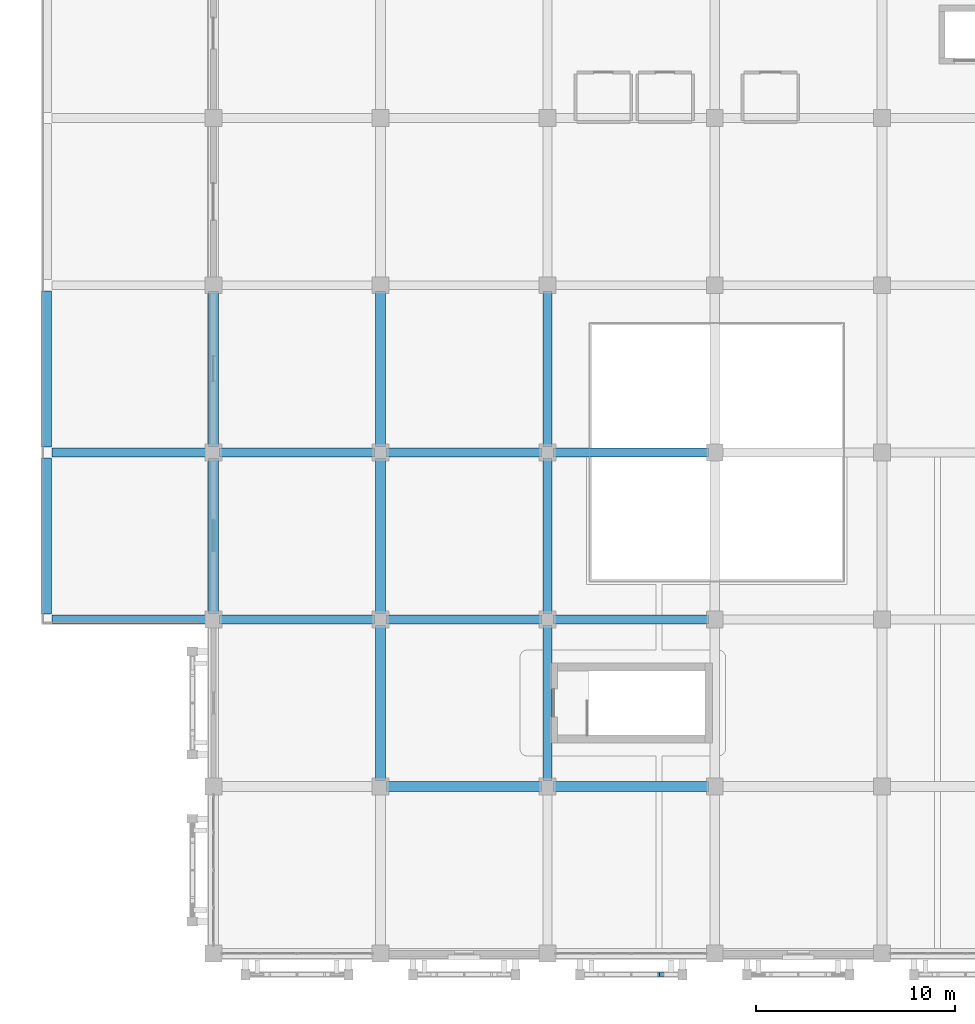
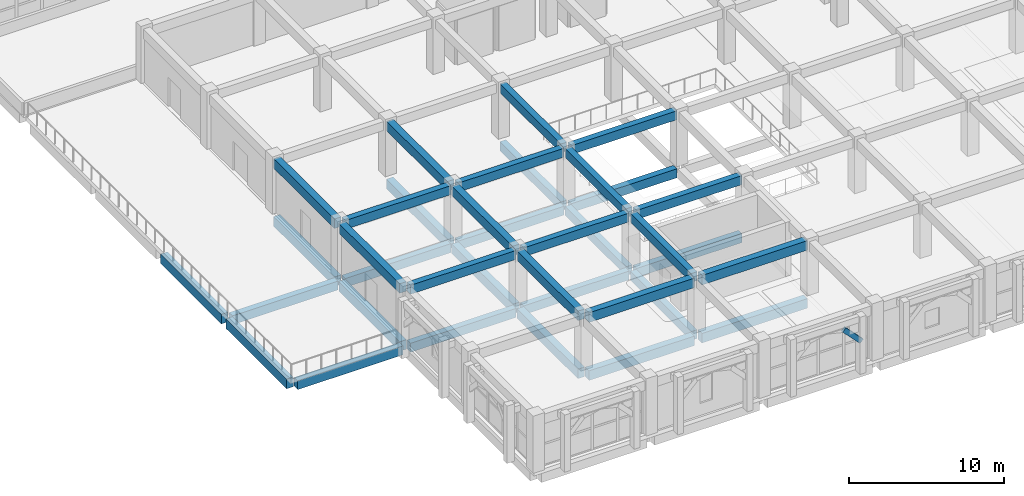
# One storey, part 7 of 129: 36 beams, 1 member.
"""IFC4 building model written with IfcOpenShell, lengths in metres."""

from ifc_helpers import new_model, si_unit, direction, frame, origin, origin_2d, place, context, subcontext, project, spatial, rectangle, extrude, material, material_profile, profile_set, type_object, element, save


model = new_model("IFC4")

# Units and contexts
model_context = context("Model", 3, precision=1e-05, world=origin(), true_north=direction((0.0, 1.0)))
body_context = subcontext(model_context, "Body", "Model", "MODEL_VIEW")
ifc_project = project(units=[si_unit("LENGTHUNIT", "METRE"), si_unit("AREAUNIT", "SQUARE_METRE"), si_unit("VOLUMEUNIT", "CUBIC_METRE"), si_unit("PLANEANGLEUNIT", "RADIAN"), si_unit("MASSUNIT", "GRAM", prefix="KILO")], contexts=[model_context])

# Site, building, storey
site_placement = place(None, origin())
site = spatial("IfcSite", under=ifc_project, at=site_placement, CompositionType="ELEMENT")
building_placement = place(site_placement, origin())
building = spatial("IfcBuilding", under=site, at=building_placement, Name="Xazarin Passage Department Store", CompositionType="ELEMENT")
storey_placement = place(building_placement, frame((0.0, 0.0, 9.89990234375)))
storey = spatial("IfcBuildingStorey", under=building, at=storey_placement, Name="L02", CompositionType="ELEMENT", Elevation=9.89990234375)

# Beams
ifc_material_1 = material(Name="Concrete C35/45", Category="concrete")
ifc_material_profile_1 = material_profile(ifc_material_1, rectangle(XDim=0.449951171875, YDim=0.699951171875, at=origin_2d()), Name="RC 450x700")
ifc_profile_set_1 = profile_set([ifc_material_profile_1], Name="Concrete C35/45")
beam_type_1 = type_object("IfcBeamType", Name="STR-BM-G450x700", PredefinedType="BEAM", material=ifc_profile_set_1)
for number, where, z_axis, x_axis, name in (
    (1, (0.280029296875, 16.800048828125, -0.669921875), (1.0, 0.0, 0.0), (0.0, 1.0, 0.0), "L02 Grid Beam C/1-2"),
    (2, (8.679931640625, 16.800048828125, -0.669921875), (1.0, 0.0, 0.0), (0.0, 1.0, 0.0), "L02 Grid Beam C/2-3"),
):
    element("IfcBeam", number, at=place(storey_placement, frame(where, z_axis=z_axis, x_axis=x_axis)), inside=storey, type_object=beam_type_1, Name=name, PredefinedType="BEAM", context=body_context, shape_type="SweptSolid", body=[
        extrude(rectangle(XDim=0.449951171875, YDim=0.699951171875, at=origin_2d()), origin(), (0.0, 0.0, 1.0), 7.840087890625),
    ])
beam_1_placement = place(storey_placement, frame((17.080078125, 16.800048828125, -0.669921875), z_axis=(1.0, 0.0, 0.0), x_axis=(0.0, 1.0, 0.0)))
element("IfcBeam", 3, at=beam_1_placement, inside=storey, type_object=beam_type_1, Name="L02 Grid Beam C/3-4", PredefinedType="BEAM", context=body_context, shape_type="SweptSolid", body=[
    extrude(rectangle(XDim=0.449951171875, YDim=0.699951171875, at=origin_2d()), origin(), (0.0, 0.0, 1.0), 7.83984375),
])
for number, where, z_axis, x_axis, name in (
    (4, (25.47998046875, 16.800048828125, -0.669921875), (1.0, 0.0, 0.0), (0.0, 1.0, 0.0), "L02 Grid Beam C/4-5"),
    (5, (0.280029296875, 25.199951171875, -0.669921875), (1.0, 0.0, 0.0), (0.0, 1.0, 0.0), "L02 Grid Beam D/1-2"),
    (6, (8.679931640625, 25.199951171875, -0.669921875), (1.0, 0.0, 0.0), (0.0, 1.0, 0.0), "L02 Grid Beam D/2-3"),
):
    element("IfcBeam", number, at=place(storey_placement, frame(where, z_axis=z_axis, x_axis=x_axis)), inside=storey, type_object=beam_type_1, Name=name, PredefinedType="BEAM", context=body_context, shape_type="SweptSolid", body=[
        extrude(rectangle(XDim=0.449951171875, YDim=0.699951171875, at=origin_2d()), origin(), (0.0, 0.0, 1.0), 7.840087890625),
    ])
beam_2_placement = place(storey_placement, frame((17.080078125, 25.199951171875, -0.669921875), z_axis=(1.0, 0.0, 0.0), x_axis=(0.0, 1.0, 0.0)))
element("IfcBeam", 7, at=beam_2_placement, inside=storey, type_object=beam_type_1, Name="L02 Grid Beam D/3-4", PredefinedType="BEAM", context=body_context, shape_type="SweptSolid", body=[
    extrude(rectangle(XDim=0.449951171875, YDim=0.699951171875, at=origin_2d()), origin(), (0.0, 0.0, 1.0), 7.83984375),
])
for number, where, z_axis, x_axis, name in (
    (8, (25.47998046875, 25.199951171875, -0.669921875), (1.0, 0.0, 0.0), (0.0, 1.0, 0.0), "L02 Grid Beam D/4-5"),
    (9, (25.199951171875, 8.679931640625, -0.669921875), (0.0, 1.0, 0.0), (-1.0, 0.0, 0.0), "L02 Grid Beam 4/B-C"),
):
    element("IfcBeam", number, at=place(storey_placement, frame(where, z_axis=z_axis, x_axis=x_axis)), inside=storey, type_object=beam_type_1, Name=name, PredefinedType="BEAM", context=body_context, shape_type="SweptSolid", body=[
        extrude(rectangle(XDim=0.449951171875, YDim=0.699951171875, at=origin_2d()), origin(), (0.0, 0.0, 1.0), 7.840087890625),
    ])
beam_3_placement = place(storey_placement, frame((25.199951171875, 17.080078125, -0.669921875), z_axis=(0.0, 1.0, 0.0), x_axis=(-1.0, 0.0, 0.0)))
element("IfcBeam", 10, at=beam_3_placement, inside=storey, type_object=beam_type_1, Name="L02 Grid Beam 4/C-D", PredefinedType="BEAM", context=body_context, shape_type="SweptSolid", body=[
    extrude(rectangle(XDim=0.449951171875, YDim=0.699951171875, at=origin_2d()), origin(), (0.0, 0.0, 1.0), 7.83984375),
])
for number, where, z_axis, x_axis, name in (
    (11, (25.199951171875, 25.47998046875, -0.669921875), (0.0, 1.0, 0.0), (-1.0, 0.0, 0.0), "L02 Grid Beam 4/D-E"),
    (12, (8.679931640625, 16.800048828125, 3.89013671875), (1.0, 0.0, 0.0), (0.0, 1.0, 0.0), "L02 Grid Beam C/2-3"),
):
    element("IfcBeam", number, at=place(storey_placement, frame(where, z_axis=z_axis, x_axis=x_axis)), inside=storey, type_object=beam_type_1, Name=name, PredefinedType="BEAM", context=body_context, shape_type="SweptSolid", body=[
        extrude(rectangle(XDim=0.449951171875, YDim=0.699951171875, at=origin_2d()), origin(), (0.0, 0.0, 1.0), 7.840087890625),
    ])
beam_4_placement = place(storey_placement, frame((17.080078125, 16.800048828125, 3.89013671875), z_axis=(1.0, 0.0, 0.0), x_axis=(0.0, 1.0, 0.0)))
element("IfcBeam", 13, at=beam_4_placement, inside=storey, type_object=beam_type_1, Name="L02 Grid Beam C/3-4", PredefinedType="BEAM", context=body_context, shape_type="SweptSolid", body=[
    extrude(rectangle(XDim=0.449951171875, YDim=0.699951171875, at=origin_2d()), origin(), (0.0, 0.0, 1.0), 7.83984375),
])
for number, where, z_axis, x_axis, name in (
    (14, (25.47998046875, 16.800048828125, 3.89013671875), (1.0, 0.0, 0.0), (0.0, 1.0, 0.0), "L02 Grid Beam C/4-5"),
    (15, (8.679931640625, 25.199951171875, 3.89013671875), (1.0, 0.0, 0.0), (0.0, 1.0, 0.0), "L02 Grid Beam D/2-3"),
):
    element("IfcBeam", number, at=place(storey_placement, frame(where, z_axis=z_axis, x_axis=x_axis)), inside=storey, type_object=beam_type_1, Name=name, PredefinedType="BEAM", context=body_context, shape_type="SweptSolid", body=[
        extrude(rectangle(XDim=0.449951171875, YDim=0.699951171875, at=origin_2d()), origin(), (0.0, 0.0, 1.0), 7.840087890625),
    ])
beam_5_placement = place(storey_placement, frame((17.080078125, 25.199951171875, 3.89013671875), z_axis=(1.0, 0.0, 0.0), x_axis=(0.0, 1.0, 0.0)))
element("IfcBeam", 16, at=beam_5_placement, inside=storey, type_object=beam_type_1, Name="L02 Grid Beam D/3-4", PredefinedType="BEAM", context=body_context, shape_type="SweptSolid", body=[
    extrude(rectangle(XDim=0.449951171875, YDim=0.699951171875, at=origin_2d()), origin(), (0.0, 0.0, 1.0), 7.83984375),
])
for number, where, z_axis, x_axis, name in (
    (17, (25.47998046875, 25.199951171875, 3.89013671875), (1.0, 0.0, 0.0), (0.0, 1.0, 0.0), "L02 Grid Beam D/4-5"),
    (18, (25.199951171875, 8.679931640625, 3.89013671875), (0.0, 1.0, 0.0), (-1.0, 0.0, 0.0), "L02 Grid Beam 4/B-C"),
):
    element("IfcBeam", number, at=place(storey_placement, frame(where, z_axis=z_axis, x_axis=x_axis)), inside=storey, type_object=beam_type_1, Name=name, PredefinedType="BEAM", context=body_context, shape_type="SweptSolid", body=[
        extrude(rectangle(XDim=0.449951171875, YDim=0.699951171875, at=origin_2d()), origin(), (0.0, 0.0, 1.0), 7.840087890625),
    ])
beam_6_placement = place(storey_placement, frame((25.199951171875, 17.080078125, 3.89013671875), z_axis=(0.0, 1.0, 0.0), x_axis=(-1.0, 0.0, 0.0)))
element("IfcBeam", 19, at=beam_6_placement, inside=storey, type_object=beam_type_1, Name="L02 Grid Beam 4/C-D", PredefinedType="BEAM", context=body_context, shape_type="SweptSolid", body=[
    extrude(rectangle(XDim=0.449951171875, YDim=0.699951171875, at=origin_2d()), origin(), (0.0, 0.0, 1.0), 7.83984375),
])
beam_7_placement = place(storey_placement, frame((25.199951171875, 25.47998046875, 3.89013671875), z_axis=(0.0, 1.0, 0.0), x_axis=(-1.0, 0.0, 0.0)))
element("IfcBeam", 20, at=beam_7_placement, inside=storey, type_object=beam_type_1, Name="L02 Grid Beam 4/D-E", PredefinedType="BEAM", context=body_context, shape_type="SweptSolid", body=[
    extrude(rectangle(XDim=0.449951171875, YDim=0.699951171875, at=origin_2d()), origin(), (0.0, 0.0, 1.0), 7.840087890625),
])
ifc_material_profile_2 = material_profile(ifc_material_1, rectangle(XDim=0.5, YDim=0.75, at=origin_2d()), Name="RC 500x750")
ifc_profile_set_2 = profile_set([ifc_material_profile_2], Name="Concrete C35/45")
beam_type_2 = type_object("IfcBeamType", Name="STR-BM-SP500x750", PredefinedType="SPANDREL", material=ifc_profile_set_2)
beam_8_placement = place(storey_placement, frame((17.080078125, 8.39990234375, -0.69482421875), z_axis=(1.0, 0.0, 0.0), x_axis=(0.0, 1.0, 0.0)))
element("IfcBeam", 21, at=beam_8_placement, inside=storey, type_object=beam_type_2, Name="L02 Grid Beam B/3-4", PredefinedType="SPANDREL", context=body_context, shape_type="SweptSolid", body=[
    extrude(rectangle(XDim=0.5, YDim=0.75, at=origin_2d()), origin(), (0.0, 0.0, 1.0), 7.83984375),
])
beam_9_placement = place(storey_placement, frame((25.47998046875, 8.39990234375, -0.69482421875), z_axis=(1.0, 0.0, 0.0), x_axis=(0.0, 1.0, 0.0)))
element("IfcBeam", 22, at=beam_9_placement, inside=storey, type_object=beam_type_2, Name="L02 Grid Beam B/4-5", PredefinedType="SPANDREL", context=body_context, shape_type="SweptSolid", body=[
    extrude(rectangle(XDim=0.5, YDim=0.75, at=origin_2d()), origin(), (0.0, 0.0, 1.0), 7.840087890625),
])
beam_10_placement = place(storey_placement, frame((0.0, 17.080078125, -0.69482421875), z_axis=(0.0, 1.0, 0.0), x_axis=(-1.0, 0.0, 0.0)))
element("IfcBeam", 23, at=beam_10_placement, inside=storey, type_object=beam_type_2, Name="L02 Grid Beam 1/C-D", PredefinedType="SPANDREL", context=body_context, shape_type="SweptSolid", body=[
    extrude(rectangle(XDim=0.5, YDim=0.75, at=origin_2d()), origin(), (0.0, 0.0, 1.0), 7.83984375),
])
beam_11_placement = place(storey_placement, frame((0.0, 25.47998046875, -0.69482421875), z_axis=(0.0, 1.0, 0.0), x_axis=(-1.0, 0.0, 0.0)))
element("IfcBeam", 24, at=beam_11_placement, inside=storey, type_object=beam_type_2, Name="L02 Grid Beam 1/D-E", PredefinedType="SPANDREL", context=body_context, shape_type="SweptSolid", body=[
    extrude(rectangle(XDim=0.5, YDim=0.75, at=origin_2d()), origin(), (0.0, 0.0, 1.0), 7.840087890625),
])
beam_12_placement = place(storey_placement, frame((8.39990234375, 17.080078125, -0.69482421875), z_axis=(0.0, 1.0, 0.0), x_axis=(-1.0, 0.0, 0.0)))
element("IfcBeam", 25, at=beam_12_placement, inside=storey, type_object=beam_type_2, Name="L02 Grid Beam 2/C-D", PredefinedType="SPANDREL", context=body_context, shape_type="SweptSolid", body=[
    extrude(rectangle(XDim=0.5, YDim=0.75, at=origin_2d()), origin(), (0.0, 0.0, 1.0), 7.83984375),
])
for number, where, z_axis, x_axis, name in (
    (26, (8.39990234375, 25.47998046875, -0.69482421875), (0.0, 1.0, 0.0), (-1.0, 0.0, 0.0), "L02 Grid Beam 2/D-E"),
    (27, (16.800048828125, 8.679931640625, -0.69482421875), (0.0, 1.0, 0.0), (-1.0, 0.0, 0.0), "L02 Grid Beam 3/B-C"),
):
    element("IfcBeam", number, at=place(storey_placement, frame(where, z_axis=z_axis, x_axis=x_axis)), inside=storey, type_object=beam_type_2, Name=name, PredefinedType="SPANDREL", context=body_context, shape_type="SweptSolid", body=[
        extrude(rectangle(XDim=0.5, YDim=0.75, at=origin_2d()), origin(), (0.0, 0.0, 1.0), 7.840087890625),
    ])
beam_13_placement = place(storey_placement, frame((16.800048828125, 17.080078125, -0.69482421875), z_axis=(0.0, 1.0, 0.0), x_axis=(-1.0, 0.0, 0.0)))
element("IfcBeam", 28, at=beam_13_placement, inside=storey, type_object=beam_type_2, Name="L02 Grid Beam 3/C-D", PredefinedType="SPANDREL", context=body_context, shape_type="SweptSolid", body=[
    extrude(rectangle(XDim=0.5, YDim=0.75, at=origin_2d()), origin(), (0.0, 0.0, 1.0), 7.83984375),
])
beam_14_placement = place(storey_placement, frame((16.800048828125, 25.47998046875, -0.69482421875), z_axis=(0.0, 1.0, 0.0), x_axis=(-1.0, 0.0, 0.0)))
element("IfcBeam", 29, at=beam_14_placement, inside=storey, type_object=beam_type_2, Name="L02 Grid Beam 3/D-E", PredefinedType="SPANDREL", context=body_context, shape_type="SweptSolid", body=[
    extrude(rectangle(XDim=0.5, YDim=0.75, at=origin_2d()), origin(), (0.0, 0.0, 1.0), 7.840087890625),
])
beam_15_placement = place(storey_placement, frame((17.080078125, 8.39990234375, 3.864990234375), z_axis=(1.0, 0.0, 0.0), x_axis=(0.0, 1.0, 0.0)))
element("IfcBeam", 30, at=beam_15_placement, inside=storey, type_object=beam_type_2, Name="L02 Grid Beam B/3-4", PredefinedType="SPANDREL", context=body_context, shape_type="SweptSolid", body=[
    extrude(rectangle(XDim=0.5, YDim=0.75, at=origin_2d()), origin(), (0.0, 0.0, 1.0), 7.83984375),
])
beam_16_placement = place(storey_placement, frame((25.47998046875, 8.39990234375, 3.864990234375), z_axis=(1.0, 0.0, 0.0), x_axis=(0.0, 1.0, 0.0)))
element("IfcBeam", 31, at=beam_16_placement, inside=storey, type_object=beam_type_2, Name="L02 Grid Beam B/4-5", PredefinedType="SPANDREL", context=body_context, shape_type="SweptSolid", body=[
    extrude(rectangle(XDim=0.5, YDim=0.75, at=origin_2d()), origin(), (0.0, 0.0, 1.0), 7.840087890625),
])
beam_17_placement = place(storey_placement, frame((8.39990234375, 17.080078125, 3.864990234375), z_axis=(0.0, 1.0, 0.0), x_axis=(-1.0, 0.0, 0.0)))
element("IfcBeam", 32, at=beam_17_placement, inside=storey, type_object=beam_type_2, Name="L02 Grid Beam 2/C-D", PredefinedType="SPANDREL", context=body_context, shape_type="SweptSolid", body=[
    extrude(rectangle(XDim=0.5, YDim=0.75, at=origin_2d()), origin(), (0.0, 0.0, 1.0), 7.83984375),
])
for number, where, z_axis, x_axis, name in (
    (33, (8.39990234375, 25.47998046875, 3.864990234375), (0.0, 1.0, 0.0), (-1.0, 0.0, 0.0), "L02 Grid Beam 2/D-E"),
    (34, (16.800048828125, 8.679931640625, 3.864990234375), (0.0, 1.0, 0.0), (-1.0, 0.0, 0.0), "L02 Grid Beam 3/B-C"),
):
    element("IfcBeam", number, at=place(storey_placement, frame(where, z_axis=z_axis, x_axis=x_axis)), inside=storey, type_object=beam_type_2, Name=name, PredefinedType="SPANDREL", context=body_context, shape_type="SweptSolid", body=[
        extrude(rectangle(XDim=0.5, YDim=0.75, at=origin_2d()), origin(), (0.0, 0.0, 1.0), 7.840087890625),
    ])
beam_18_placement = place(storey_placement, frame((16.800048828125, 17.080078125, 3.864990234375), z_axis=(0.0, 1.0, 0.0), x_axis=(-1.0, 0.0, 0.0)))
element("IfcBeam", 35, at=beam_18_placement, inside=storey, type_object=beam_type_2, Name="L02 Grid Beam 3/C-D", PredefinedType="SPANDREL", context=body_context, shape_type="SweptSolid", body=[
    extrude(rectangle(XDim=0.5, YDim=0.75, at=origin_2d()), origin(), (0.0, 0.0, 1.0), 7.83984375),
])
beam_19_placement = place(storey_placement, frame((16.800048828125, 25.47998046875, 3.864990234375), z_axis=(0.0, 1.0, 0.0), x_axis=(-1.0, 0.0, 0.0)))
element("IfcBeam", 36, at=beam_19_placement, inside=storey, type_object=beam_type_2, Name="L02 Grid Beam 3/D-E", PredefinedType="SPANDREL", context=body_context, shape_type="SweptSolid", body=[
    extrude(rectangle(XDim=0.5, YDim=0.75, at=origin_2d()), origin(), (0.0, 0.0, 1.0), 7.840087890625),
])

# Member
ifc_material_2 = material(Name="Concrete C40/50", Category="concrete")
ifc_material_profile_3 = material_profile(ifc_material_2, rectangle(XDim=0.199951171875, YDim=0.360107421875, at=origin_2d()), Name="RC 200x360")
ifc_profile_set_3 = profile_set([ifc_material_profile_3], Name="Concrete C40/50")
member_type = type_object("IfcMemberType", Name="STR-MEM-ARC360", PredefinedType="CHORD", material=ifc_profile_set_3)
member_placement = place(storey_placement, frame((30.68994140625, -1.050048828125, 3.7705078125), z_axis=(0.693460080602, 0.0, -0.720495049679), x_axis=(0.0, 1.0, 0.0)))
element("IfcMember", 37, at=member_placement, inside=storey, type_object=member_type, Name="L02 V3 Pierced Lattice Curved Arch 029.4", PredefinedType="CHORD", context=body_context, shape_type="SweptSolid", body=[
    extrude(rectangle(XDim=0.199951171875, YDim=0.360107421875, at=origin_2d()), origin(), (0.0, 0.0, 1.0), 1.8603515625),
])

save(model, "model.ifc")
